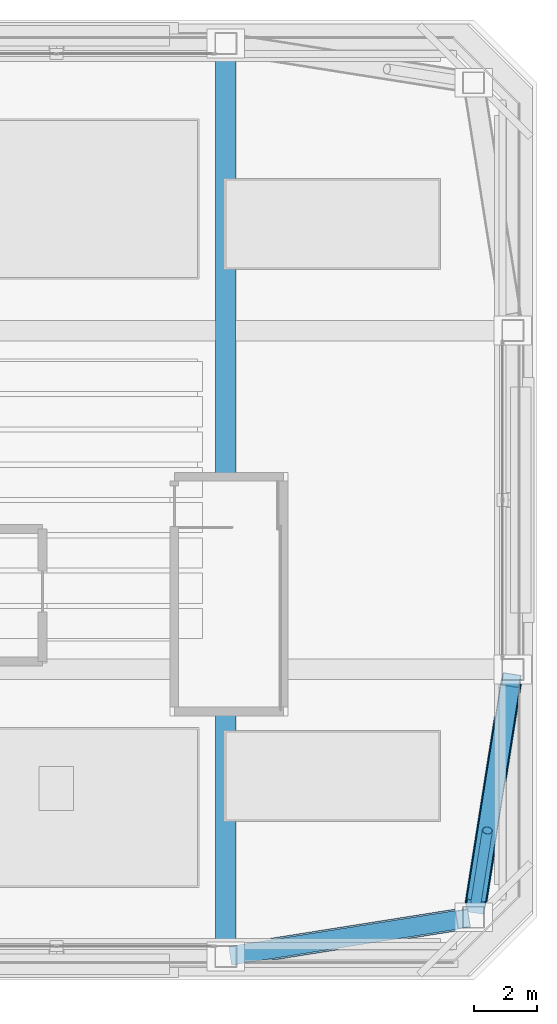
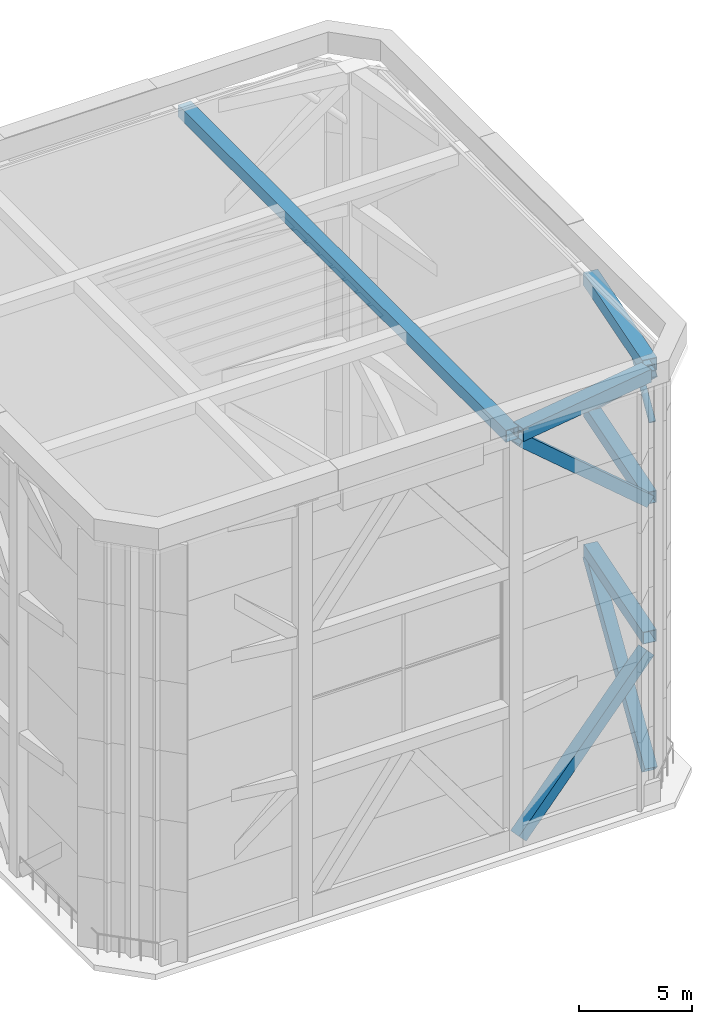
# One storey, part 10 of 28: 5 beams, 5 members.
"""IFC4 building model written with IfcOpenShell, lengths in metres."""

from ifc_helpers import new_model, si_unit, direction, frame, origin, origin_2d, place, context, subcontext, project, spatial, hollow_rectangle, hollow_circle, extrude, material, material_profile, profile_set, type_object, element, save


model = new_model("IFC4")

# Units and contexts
model_context = context("Model", 3, precision=1e-05, world=origin(), true_north=direction((0.0, 1.0)))
body_context = subcontext(model_context, "Body", "Model", "MODEL_VIEW")
ifc_project = project(units=[si_unit("LENGTHUNIT", "METRE"), si_unit("AREAUNIT", "SQUARE_METRE"), si_unit("VOLUMEUNIT", "CUBIC_METRE"), si_unit("PLANEANGLEUNIT", "RADIAN"), si_unit("MASSUNIT", "GRAM", prefix="KILO")], contexts=[model_context])

# Site, building, storey
site_placement = place(None, origin())
site = spatial("IfcSite", under=ifc_project, at=site_placement, CompositionType="ELEMENT")
building_placement = place(site_placement, origin())
building = spatial("IfcBuilding", under=site, at=building_placement, Name="Tashvorn Skyway Center", CompositionType="ELEMENT")
storey_placement = place(building_placement, frame((0.0, 0.0, 277.60009765625)))
storey = spatial("IfcBuildingStorey", under=building, at=storey_placement, Name="Roof Level", CompositionType="ELEMENT", Elevation=277.60009765625)

# Beams
ifc_material = material(Name="Steel ASTM A572 Grade 50", Category="steel")
ifc_material_profile_1 = material_profile(ifc_material, hollow_rectangle(XDim=0.64990234375, YDim=0.64990234375, WallThickness=0.02490234375, at=origin_2d()), Name="BOX650x650x25")
ifc_profile_set_1 = profile_set([ifc_material_profile_1], Name="Steel ASTM A572 Grade 50")
beam_type_1 = type_object("IfcBeamType", Name="BM-BEAM-BOX650x650x25", PredefinedType="BEAM", material=ifc_profile_set_1)
for number, where, z_axis, x_axis, name in (
    (1, (55.35400390625, 19.040771484375, 7.52978515625), (0.156273060583, 0.987713891031, 0.0), (-0.987713891031, 0.156273060583, 0.0), "CROWN FRAME Tower 1 Lower-Tier Ring Beam 04"),
    (2, (55.35400390625, 19.040771484375, 15.059814453125), (0.156273060583, 0.987713891031, 0.0), (-0.987713891031, 0.156273060583, 0.0), "CROWN FRAME Tower 1 Upper-Tier Ring Beam 04"),
):
    element("IfcBeam", number, at=place(storey_placement, frame(where, z_axis=z_axis, x_axis=x_axis)), inside=storey, type_object=beam_type_1, Name=name, PredefinedType="BEAM", context=body_context, shape_type="SweptSolid", body=[
        extrude(hollow_rectangle(XDim=0.64990234375, YDim=0.64990234375, WallThickness=0.02490234375, at=origin_2d()), origin(), (0.0, 0.0, 1.0), 7.308349609375),
    ])
beam_placement = place(storey_placement, frame((47.39990234375, 17.449951171875, 22.239990234375), z_axis=(0.0, 1.0, 0.0), x_axis=(-1.0, 0.0, 0.0)))
element("IfcBeam", 3, at=beam_placement, inside=storey, type_object=beam_type_1, Name="CROWN FRAME Tower 1 Cap Support Girder NS2", PredefinedType="BEAM", context=body_context, shape_type="SweptSolid", body=[
    extrude(hollow_rectangle(XDim=0.64990234375, YDim=0.64990234375, WallThickness=0.02490234375, at=origin_2d()), origin(), (0.0, 0.0, 1.0), 29.10009765625),
])
ifc_material_profile_2 = material_profile(ifc_material, hollow_rectangle(XDim=0.699951171875, YDim=0.699951171875, WallThickness=0.028076171875, at=origin_2d()), Name="BOX700x700x28")
ifc_profile_set_2 = profile_set([ifc_material_profile_2], Name="Steel ASTM A572 Grade 50")
beam_type_2 = type_object("IfcBeamType", Name="BM-BEAM-BOX700x700x28", PredefinedType="BEAM", material=ifc_profile_set_2)
for number, where, z_axis, x_axis, name in (
    (4, (47.74072265625, 17.50390625, 22.239990234375), (0.987713891031, 0.156273060583, 0.0), (-0.156273060583, 0.987713891031, 0.0), "CROWN FRAME Tower 1 Top Cap Ring Beam 03"),
    (5, (55.35400390625, 19.040771484375, 22.239990234375), (0.156273060583, 0.987713891031, 0.0), (-0.987713891031, 0.156273060583, 0.0), "CROWN FRAME Tower 1 Top Cap Ring Beam 04"),
):
    element("IfcBeam", number, at=place(storey_placement, frame(where, z_axis=z_axis, x_axis=x_axis)), inside=storey, type_object=beam_type_2, Name=name, PredefinedType="BEAM", context=body_context, shape_type="SweptSolid", body=[
        extrude(hollow_rectangle(XDim=0.699951171875, YDim=0.699951171875, WallThickness=0.028076171875, at=origin_2d()), origin(), (0.0, 0.0, 1.0), 7.308349609375),
    ])

# Members
ifc_material_profile_3 = material_profile(ifc_material, hollow_rectangle(XDim=0.60009765625, YDim=0.60009765625, WallThickness=0.02490234375, at=origin_2d()), Name="BOX600x600x25")
ifc_profile_set_3 = profile_set([ifc_material_profile_3], Name="Steel ASTM A572 Grade 50")
member_type_1 = type_object("IfcMemberType", Name="MEM-CF-BRC-600", PredefinedType="BRACE", material=ifc_profile_set_3)
member_1_placement = place(storey_placement, frame((47.74072265625, 17.50390625, 0.349853515625), z_axis=(0.720152058307, 0.113940248546, 0.684396546365), x_axis=(-0.156273060583, 0.987713891031, 0.0)))
element("IfcMember", 6, at=member_1_placement, inside=storey, type_object=member_type_1, Name="CROWN FRAME Tower 1 Lower Portal Brace 03", PredefinedType="BRACE", context=body_context, shape_type="SweptSolid", body=[
    extrude(hollow_rectangle(XDim=0.60009765625, YDim=0.60009765625, WallThickness=0.02490234375, at=origin_2d()), origin(), (0.0, 0.0, 1.0), 10.023681640625),
])
member_2_placement = place(storey_placement, frame((54.959228515625, 18.64599609375, 15.3798828125), z_axis=(-0.737035724004, -0.116611530317, 0.665717727373), x_axis=(0.156273060583, -0.987713891031, 0.0)))
element("IfcMember", 7, at=member_2_placement, inside=storey, type_object=member_type_1, Name="CROWN FRAME Tower 1 Upper Portal Brace 03", PredefinedType="BRACE", context=body_context, shape_type="SweptSolid", body=[
    extrude(hollow_rectangle(XDim=0.60009765625, YDim=0.60009765625, WallThickness=0.02490234375, at=origin_2d()), origin(), (0.0, 0.0, 1.0), 9.7939453125),
])
member_3_placement = place(storey_placement, frame((55.35400390625, 19.040771484375, 0.349853515625), z_axis=(0.113940248546, 0.720152058307, 0.684396546365), x_axis=(-0.987713891031, 0.156273060583, 0.0)))
element("IfcMember", 8, at=member_3_placement, inside=storey, type_object=member_type_1, Name="CROWN FRAME Tower 1 Lower Portal Brace 04", PredefinedType="BRACE", context=body_context, shape_type="SweptSolid", body=[
    extrude(hollow_rectangle(XDim=0.60009765625, YDim=0.60009765625, WallThickness=0.02490234375, at=origin_2d()), origin(), (0.0, 0.0, 1.0), 10.023681640625),
])
member_4_placement = place(storey_placement, frame((56.49609375, 26.25927734375, 15.3798828125), z_axis=(-0.116611530317, -0.737035724004, 0.665717727373), x_axis=(0.987713891031, -0.156273060583, 0.0)))
element("IfcMember", 9, at=member_4_placement, inside=storey, type_object=member_type_1, Name="CROWN FRAME Tower 1 Upper Portal Brace 04", PredefinedType="BRACE", context=body_context, shape_type="SweptSolid", body=[
    extrude(hollow_rectangle(XDim=0.60009765625, YDim=0.60009765625, WallThickness=0.02490234375, at=origin_2d()), origin(), (0.0, 0.0, 1.0), 9.7939453125),
])
ifc_material_profile_4 = material_profile(ifc_material, hollow_circle(Radius=0.162109375, WallThickness=0.01611328125, at=origin_2d()), Name="CHS324x16")
ifc_profile_set_4 = profile_set([ifc_material_profile_4], Name="Steel ASTM A572 Grade 50")
member_type_2 = type_object("IfcMemberType", Name="MEM-ST-324", PredefinedType="STRUT", material=ifc_profile_set_4)
member_5_placement = place(storey_placement, frame((55.300048828125, 18.699951171875, 19.389892578125), z_axis=(0.109510452469, 0.692140281618, 0.713406820378), x_axis=(-0.987713419374, 0.156276041632, 0.0)))
element("IfcMember", 10, at=member_5_placement, inside=storey, type_object=member_type_2, Name="CROWN FRAME Tower 1 Corner Knee-Strut 2", PredefinedType="STRUT", context=body_context, shape_type="SweptSolid", body=[
    extrude(hollow_circle(Radius=0.162109375, WallThickness=0.01611328125, at=origin_2d()), origin(), (0.0, 0.0, 1.0), 3.9951171875),
])

save(model, "model.ifc")
